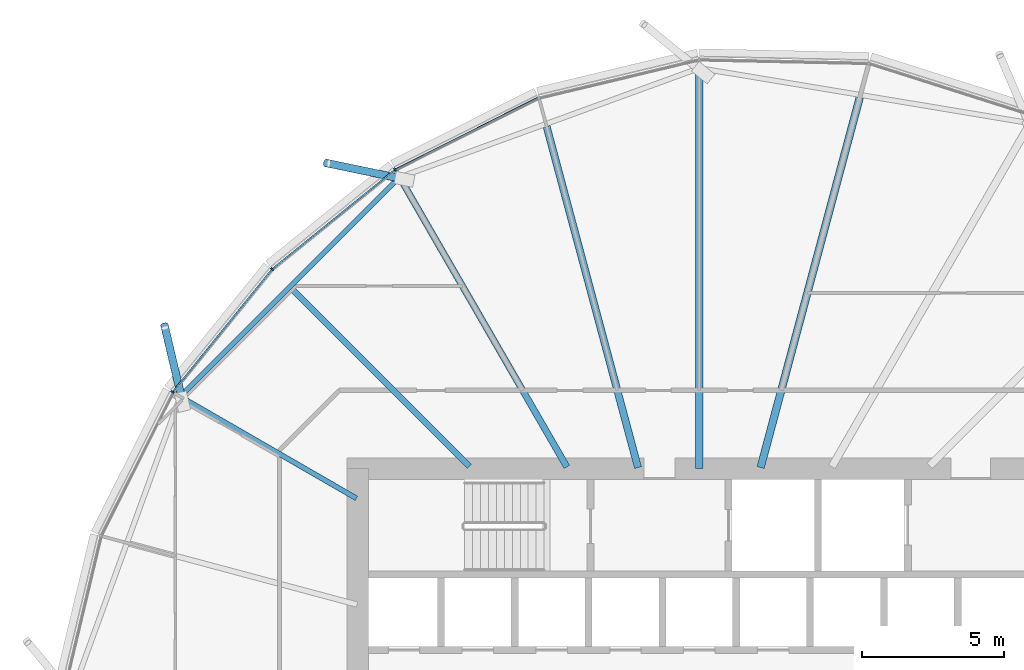
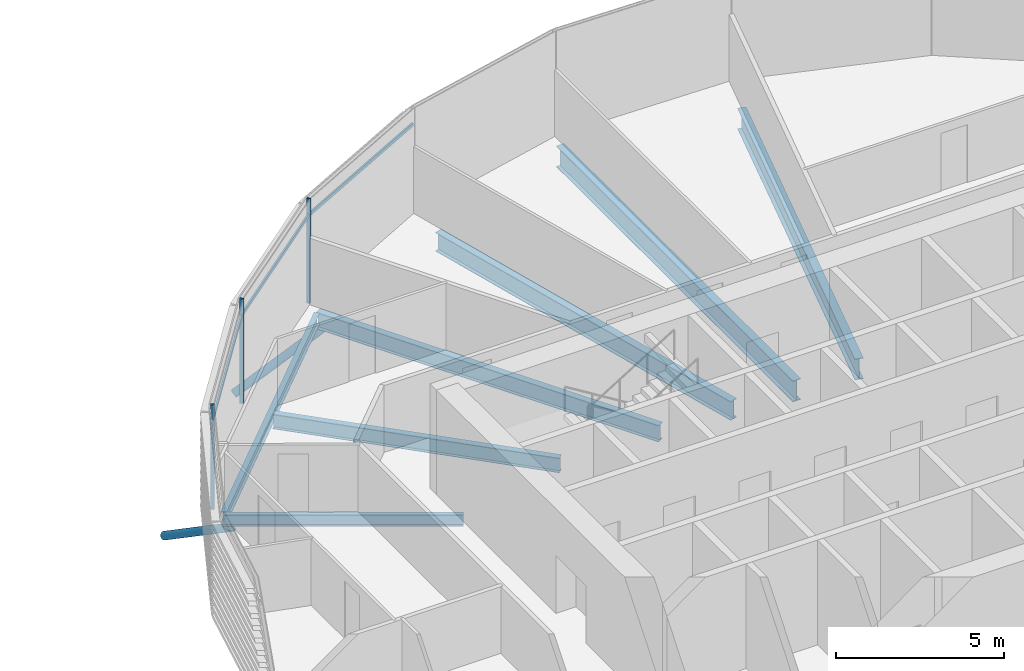
# One storey, part 17 of 40: 8 members, 7 beams, 1 element without a shape of its own.
"""IFC4 building model written with IfcOpenShell, lengths in metres."""

from ifc_helpers import new_model, si_unit, direction, frame, origin, origin_2d, place, context, subcontext, project, spatial, rectangle, hollow_circle, i_section, extrude, clip, halfspace, material, material_profile, profile_set, type_object, element, aggregate, save


model = new_model("IFC4")

# Units and contexts
model_context = context("Model", 3, precision=1e-05, world=origin(), true_north=direction((0.0, 1.0)))
body_context = subcontext(model_context, "Body", "Model", "MODEL_VIEW")
ifc_project = project(units=[si_unit("LENGTHUNIT", "METRE"), si_unit("AREAUNIT", "SQUARE_METRE"), si_unit("VOLUMEUNIT", "CUBIC_METRE"), si_unit("PLANEANGLEUNIT", "RADIAN"), si_unit("MASSUNIT", "GRAM", prefix="KILO")], contexts=[model_context])

# Site, building, storey
site_placement = place(None, origin())
site = spatial("IfcSite", under=ifc_project, at=site_placement, CompositionType="ELEMENT")
building_placement = place(site_placement, origin())
building = spatial("IfcBuilding", under=site, at=building_placement, Name="Rimbun Link Towers", CompositionType="ELEMENT")
storey_placement = place(building_placement, frame((0.0, 0.0, 89.199951171875)))
storey = spatial("IfcBuildingStorey", under=building, at=storey_placement, Name="L21", CompositionType="ELEMENT", Elevation=89.199951171875)

# Curtain wall, members
ifc_material_1 = material(Name="Aluminium 6063-T6 and low-iron glass", Category="aluminium")
curtain_wall_type = type_object("IfcCurtainWallType", Name="CW1-Z2 unitised vision wall (zone 2)", PredefinedType="NOTDEFINED", material=ifc_material_1)
curtain_wall_placement = place(storey_placement, origin())
curtain_wall = element("IfcCurtainWall", 1, at=curtain_wall_placement, inside=storey, type_object=curtain_wall_type, Name="CW1 L21 T2", PredefinedType="NOTDEFINED")
ifc_material_2 = material(Name="Aluminium 6063-T6", Category="aluminium")
ifc_material_profile_1 = material_profile(ifc_material_2, rectangle(XDim=0.1201171875, YDim=0.06005859375, at=origin_2d()), Name="MULLION 60X120")
ifc_profile_set_1 = profile_set([ifc_material_profile_1], Name="Aluminium 6063-T6")
member_type_1 = type_object("IfcMemberType", Name="CW1 mullion 60X120", PredefinedType="MULLION", material=ifc_profile_set_1)
member_1_placement = place(storey_placement, frame((21.061767578125, 18.506591796875, 0.0), z_axis=(0.0, 0.0, 1.0), x_axis=(-0.542105566875, 0.840310391678, 0.0)))
member_1 = element("IfcMember", 2, at=member_1_placement, type_object=member_type_1, Name="CW1 mullion", PredefinedType="MULLION", context=body_context, shape_type="SweptSolid", body=[
    extrude(rectangle(XDim=0.1201171875, YDim=0.06005859375, at=origin_2d()), origin(), (0.0, 0.0, 1.0), 3.800048828125),
])
member_2_placement = place(storey_placement, frame((16.740966796875, 15.009033203125, 0.0), z_axis=(0.0, 0.0, 1.0), x_axis=(-0.707106781187, 0.707106781187, 0.0)))
member_2 = element("IfcMember", 3, at=member_2_placement, type_object=member_type_1, Name="CW1 mullion", PredefinedType="MULLION", context=body_context, shape_type="SweptSolid", body=[
    extrude(rectangle(XDim=0.1201171875, YDim=0.06005859375, at=origin_2d()), origin(), (0.0, 0.0, 1.0), 3.800048828125),
])
member_3_placement = place(storey_placement, frame((13.243408203125, 10.688232421875, 0.0), z_axis=(0.0, 0.0, 1.0), x_axis=(-0.840310391678, 0.542105566875, 0.0)))
member_3 = element("IfcMember", 4, at=member_3_placement, type_object=member_type_1, Name="CW1 mullion", PredefinedType="MULLION", context=body_context, shape_type="SweptSolid", body=[
    extrude(rectangle(XDim=0.1201171875, YDim=0.06005859375, at=origin_2d()), origin(), (0.0, 0.0, 1.0), 3.800048828125),
])
ifc_material_3 = material(Name="Aluminium 6063-T6", Category="aluminium")
ifc_material_profile_2 = material_profile(ifc_material_3, rectangle(XDim=0.06005859375, YDim=0.1201171875, at=origin_2d()), Name="TRANSOM 60X120")
ifc_profile_set_2 = profile_set([ifc_material_profile_2], Name="Aluminium 6063-T6")
member_type_2 = type_object("IfcMemberType", Name="CW1 transom 60X120", PredefinedType="USERDEFINED", material=ifc_profile_set_2)
member_4_placement = place(storey_placement, frame((21.09521484375, 18.521484375, 3.199951171875), z_axis=(0.893645889774, 0.448772797404, 0.0), x_axis=(-0.448772797404, 0.893645889774, 0.0)))
member_4 = element("IfcMember", 5, at=member_4_placement, type_object=member_type_2, Name="CW1 transom", ObjectType="TRANSOM", PredefinedType="USERDEFINED", context=body_context, shape_type="SweptSolid", body=[
    extrude(rectangle(XDim=0.06005859375, YDim=0.1201171875, at=origin_2d()), origin(), (0.0, 0.0, 1.0), 5.57177734375),
])
member_5_placement = place(storey_placement, frame((16.770263671875, 15.030517578125, 3.199951171875), z_axis=(0.777265595889, 0.629172626111, 0.0), x_axis=(-0.629172626111, 0.777265595889, 0.0)))
member_5 = element("IfcMember", 6, at=member_5_placement, type_object=member_type_2, Name="CW1 transom", ObjectType="TRANSOM", PredefinedType="USERDEFINED", context=body_context, shape_type="SweptSolid", body=[
    extrude(rectangle(XDim=0.06005859375, YDim=0.1201171875, at=origin_2d()), origin(), (0.0, 0.0, 1.0), 5.486328125),
])
member_6_placement = place(storey_placement, frame((13.267578125, 10.71533203125, 3.199951171875), z_axis=(0.629172626111, 0.777265595889, 0.0), x_axis=(-0.777265595889, 0.629172626111, 0.0)))
member_6 = element("IfcMember", 7, at=member_6_placement, type_object=member_type_2, Name="CW1 transom", ObjectType="TRANSOM", PredefinedType="USERDEFINED", context=body_context, shape_type="SweptSolid", body=[
    extrude(rectangle(XDim=0.06005859375, YDim=0.1201171875, at=origin_2d()), origin(), (0.0, 0.0, 1.0), 5.486328125),
])
aggregate(curtain_wall, [member_1, member_2, member_3, member_4, member_5, member_6])

# Members
ifc_material_4 = material(Name="Steel S355J2H", Category="steel")
ifc_material_profile_3 = material_profile(ifc_material_4, hollow_circle(Radius=0.136474609375, WallThickness=0.012451171875, at=origin_2d()), Name="CHS 273x12.5")
ifc_profile_set_3 = profile_set([ifc_material_profile_3], Name="Steel S355J2H")
member_type_3 = type_object("IfcMemberType", Name="Floor edge link CHS 273x12.5", PredefinedType="BRACE", material=ifc_profile_set_3)
member_7_placement = place(storey_placement, frame((21.245849609375, 18.193603515625, -0.877685546875), z_axis=(-0.825452395538, 0.172517013653, -0.537462764013), x_axis=(-0.204576751505, -0.978850526252, 0.0)))
element("IfcMember", 8, at=member_7_placement, inside=storey, type_object=member_type_3, Name="Floor edge link T2 L21 05", PredefinedType="BRACE", context=body_context, shape_type="Clipping", body=[
    clip(extrude(hollow_circle(Radius=0.136474609375, WallThickness=0.012451171875, at=origin_2d()), frame((0.0, 0.0, -0.447021484375)), (0.0, 0.0, 1.0), 3.62255859375), halfspace(frame((0.0, 0.0, -0.21044921875), z_axis=(0.0, 0.843287482001, -0.537462764013)), False)),
])
member_8_placement = place(storey_placement, frame((13.556396484375, 10.504150390625, -0.682373046875), z_axis=(-0.195476983949, 0.827977277806, -0.525587648431), x_axis=(-0.97324424173, -0.22977303136, 0.0)))
element("IfcMember", 9, at=member_8_placement, inside=storey, type_object=member_type_3, Name="Floor edge link T2 L21 07", PredefinedType="BRACE", context=body_context, shape_type="Clipping", body=[
    clip(extrude(hollow_circle(Radius=0.136474609375, WallThickness=0.012451171875, at=origin_2d()), frame((0.0, 0.0, -0.4609375)), (0.0, 0.0, 1.0), 3.53466796875), halfspace(frame((0.0, 0.0, -0.217041015625), z_axis=(0.0, 0.850739457071, -0.525587648431)), False)),
])

# Beams
ifc_material_5 = material(Name="Steel S355J2", Category="steel")
ifc_material_profile_4 = material_profile(ifc_material_5, i_section(OverallWidth=0.177978515625, OverallDepth=0.406494140625, WebThickness=0.0078125, FlangeThickness=0.0126953125, at=origin_2d()), Name="UB 406x178x60")
ifc_profile_set_4 = profile_set([ifc_material_profile_4], Name="Steel S355J2")
beam_type_1 = type_object("IfcBeamType", Name="UB 406x178x60", PredefinedType="BEAM", material=ifc_profile_set_4)
beam_1_placement = place(storey_placement, frame((19.70458984375, 6.954345703125, -0.363037109375), z_axis=(-0.866019530736, 0.500010172281, 0.0), x_axis=(-0.500010172281, -0.866019530736, 0.0)))
element("IfcBeam", 10, at=beam_1_placement, inside=storey, type_object=beam_type_1, Name="Radial beam T2 L21 07", PredefinedType="BEAM", context=body_context, shape_type="SweptSolid", body=[
    extrude(i_section(OverallWidth=0.177978515625, OverallDepth=0.406494140625, WebThickness=0.0078125, FlangeThickness=0.0126953125, at=origin_2d()), origin(), (0.0, 0.0, 1.0), 7.149169921875),
])
beam_2_placement = place(storey_placement, frame((21.136962890625, 18.15283203125, -0.363037109375), z_axis=(-0.7071182017, -0.707095360489, 0.0), x_axis=(0.707095360489, -0.7071182017, 0.0)))
element("IfcBeam", 11, at=beam_2_placement, inside=storey, type_object=beam_type_1, Name="Edge beam T2 L21 05-07", PredefinedType="BEAM", context=body_context, shape_type="SweptSolid", body=[
    extrude(i_section(OverallWidth=0.177978515625, OverallDepth=0.406494140625, WebThickness=0.0078125, FlangeThickness=0.0126953125, at=origin_2d()), origin(), (0.0, 0.0, 1.0), 10.688720703125),
])
ifc_material_6 = material(Name="Steel S355J2", Category="steel")
ifc_material_profile_5 = material_profile(ifc_material_6, i_section(OverallWidth=0.209228515625, OverallDepth=0.533203125, WebThickness=0.010009765625, FlangeThickness=0.015625, at=origin_2d()), Name="UB 533x210x92")
ifc_profile_set_5 = profile_set([ifc_material_profile_5], Name="Steel S355J2")
beam_type_2 = type_object("IfcBeamType", Name="UB 533x210x92", PredefinedType="BEAM", material=ifc_profile_set_5)
beam_3_placement = place(storey_placement, frame((23.67529296875, 8.07470703125, -0.426513671875), z_axis=(-0.707106781187, 0.707106781187, 0.0), x_axis=(-0.707106781187, -0.707106781187, 0.0)))
element("IfcBeam", 12, at=beam_3_placement, inside=storey, type_object=beam_type_2, Name="Radial beam T2 L21 06", PredefinedType="BEAM", context=body_context, shape_type="SweptSolid", body=[
    extrude(i_section(OverallWidth=0.209228515625, OverallDepth=0.533203125, WebThickness=0.010009765625, FlangeThickness=0.015625, at=origin_2d()), origin(), (0.0, 0.0, 1.0), 8.831298828125),
])
ifc_material_7 = material(Name="Steel S355J2", Category="steel")
ifc_material_profile_6 = material_profile(ifc_material_7, i_section(OverallWidth=0.2275390625, OverallDepth=0.6025390625, WebThickness=0.010498046875, FlangeThickness=0.014892578125, at=origin_2d()), Name="UB 610x229x101")
ifc_profile_set_6 = profile_set([ifc_material_profile_6], Name="Steel S355J2")
beam_type_3 = type_object("IfcBeamType", Name="UB 610x229x101", PredefinedType="BEAM", material=ifc_profile_set_6)
beam_4_placement = place(storey_placement, frame((27.097900390625, 8.057861328125, -0.461181640625), z_axis=(-0.500008338019, 0.866020589773, 0.0), x_axis=(-0.866020589773, -0.500008338019, 0.0)))
element("IfcBeam", 13, at=beam_4_placement, inside=storey, type_object=beam_type_3, Name="Radial beam T2 L21 05", PredefinedType="BEAM", context=body_context, shape_type="SweptSolid", body=[
    extrude(i_section(OverallWidth=0.2275390625, OverallDepth=0.6025390625, WebThickness=0.010498046875, FlangeThickness=0.014892578125, at=origin_2d()), origin(), (0.0, 0.0, 1.0), 11.753662109375),
])
ifc_material_8 = material(Name="Steel S355J2", Category="steel")
ifc_material_profile_7 = material_profile(ifc_material_8, i_section(OverallWidth=0.253662109375, OverallDepth=0.68359375, WebThickness=0.012451171875, FlangeThickness=0.01904296875, at=origin_2d()), Name="UB 686x254x140")
ifc_profile_set_7 = profile_set([ifc_material_profile_7], Name="Steel S355J2")
beam_type_4 = type_object("IfcBeamType", Name="UB 686x254x140", PredefinedType="BEAM", material=ifc_profile_set_7)
beam_5_placement = place(storey_placement, frame((29.597412109375, 8.03369140625, -0.501708984375), z_axis=(-0.258817040953, 0.965926363297, 0.0), x_axis=(-0.965926363297, -0.258817040953, 0.0)))
element("IfcBeam", 14, at=beam_5_placement, inside=storey, type_object=beam_type_4, Name="Radial beam T2 L21 04", PredefinedType="BEAM", context=body_context, shape_type="SweptSolid", body=[
    extrude(i_section(OverallWidth=0.253662109375, OverallDepth=0.68359375, WebThickness=0.012451171875, FlangeThickness=0.01904296875, at=origin_2d()), origin(), (0.0, 0.0, 1.0), 12.410888671875),
])
ifc_material_9 = material(Name="Steel S355J2", Category="steel")
ifc_material_profile_8 = material_profile(ifc_material_9, i_section(OverallWidth=0.2666015625, OverallDepth=0.76220703125, WebThickness=0.014404296875, FlangeThickness=0.021484375, at=origin_2d()), Name="UB 762x267x173")
ifc_profile_set_8 = profile_set([ifc_material_profile_8], Name="Steel S355J2")
beam_type_5 = type_object("IfcBeamType", Name="UB 762x267x173", PredefinedType="BEAM", material=ifc_profile_set_8)
beam_6_placement = place(storey_placement, frame((33.903076171875, 8.035400390625, -0.541015625), z_axis=(0.258815841304, 0.965926684739, 0.0), x_axis=(-0.965926684739, 0.258815841304, 0.0)))
element("IfcBeam", 15, at=beam_6_placement, inside=storey, type_object=beam_type_5, Name="Radial beam T2 L21 02", PredefinedType="BEAM", context=body_context, shape_type="SweptSolid", body=[
    extrude(i_section(OverallWidth=0.2666015625, OverallDepth=0.76220703125, WebThickness=0.014404296875, FlangeThickness=0.021484375, at=origin_2d()), origin(), (0.0, 0.0, 1.0), 13.464599609375),
])
beam_7_placement = place(storey_placement, frame((31.75, 8.0009765625, -0.541015625), z_axis=(0.0, 1.0, 0.0), x_axis=(-1.0, 0.0, 0.0)))
element("IfcBeam", 16, at=beam_7_placement, inside=storey, type_object=beam_type_5, Name="Radial beam T2 L21 03", PredefinedType="BEAM", context=body_context, shape_type="SweptSolid", body=[
    extrude(i_section(OverallWidth=0.2666015625, OverallDepth=0.76220703125, WebThickness=0.014404296875, FlangeThickness=0.021484375, at=origin_2d()), origin(), (0.0, 0.0, 1.0), 14.0703125),
])

save(model, "model.ifc")
